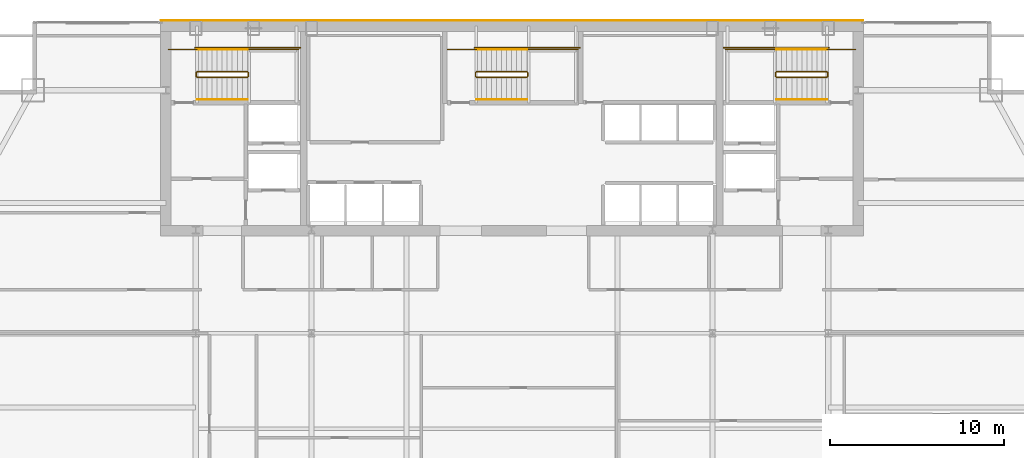
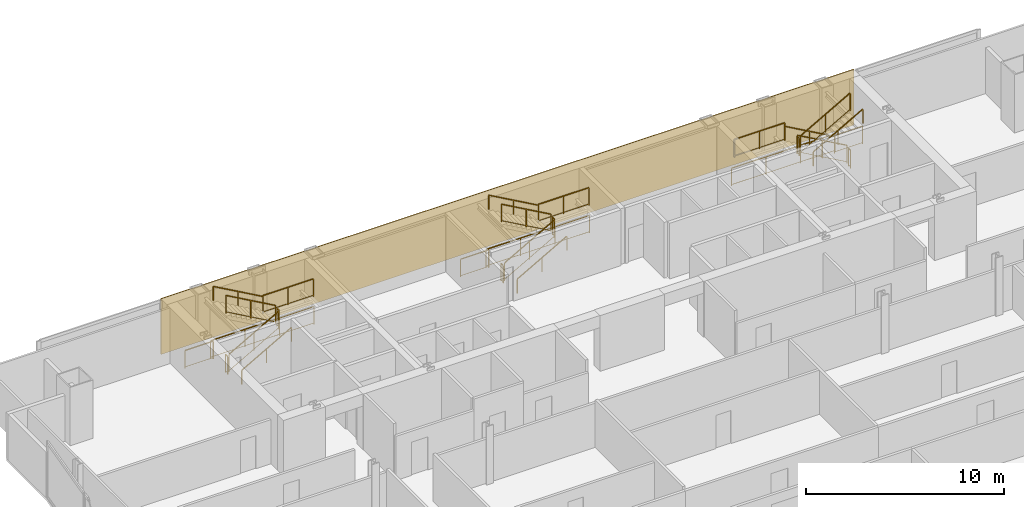
# One storey, part 29 of 29: 27 railings, 1 covering.
"""IFC4 building model written with IfcOpenShell, lengths in metres."""

from ifc_helpers import new_model, si_unit, direction, frame, origin, origin_2d, place, context, subcontext, project, spatial, polyline, rectangle, outline, extrude, material, layer, layer_set, type_object, element, save


model = new_model("IFC4")

# Units and contexts
model_context = context("Model", 3, precision=1e-05, world=origin(), true_north=direction((0.0, 1.0)))
body_context = subcontext(model_context, "Body", "Model", "MODEL_VIEW")
ifc_project = project(units=[si_unit("LENGTHUNIT", "METRE"), si_unit("AREAUNIT", "SQUARE_METRE"), si_unit("VOLUMEUNIT", "CUBIC_METRE"), si_unit("PLANEANGLEUNIT", "RADIAN"), si_unit("MASSUNIT", "GRAM", prefix="KILO")], contexts=[model_context])

# Site, building, storey
site_placement = place(None, origin())
site = spatial("IfcSite", under=ifc_project, at=site_placement, CompositionType="ELEMENT")
building_placement = place(site_placement, origin())
building = spatial("IfcBuilding", under=site, at=building_placement, Name="Khoronbel Lancet Exchange", CompositionType="ELEMENT")
storey_placement = place(building_placement, frame((0.0, 0.0, 177.0)))
storey = spatial("IfcBuildingStorey", under=building, at=storey_placement, Name="L44", CompositionType="ELEMENT", Elevation=177.0)

# Covering
ifc_material_1 = material(Name="Honed Egyptian Limestone & Bronze Rainscreen", Category="masonry")
ifc_layer = layer(ifc_material_1, 0.050048828125, Name="Honed Egyptian Limestone & Bronze Rainscreen")
ifc_layer_set = layer_set([ifc_layer], Name="Honed Egyptian Limestone & Bronze Rainscreen")
covering_type = type_object("IfcCoveringType", Name="COV-CLAD1", PredefinedType="CLADDING", material=ifc_layer_set)
covering_placement = place(storey_placement, origin())
element("IfcCovering", 1, at=covering_placement, inside=storey, type_object=covering_type, Name="Level L44 north rear-core stone and bronze rainscreen cladding", PredefinedType="CLADDING", context=body_context, shape_type="SweptSolid", body=[
    extrude(outline(polyline([(16.199951171875, 53.699951171875), (56.699951171875, 53.699951171875), (56.699951171875, 53.75), (16.199951171875, 53.75), (16.199951171875, 53.699951171875)])), origin(), (0.0, 0.0, 1.0), 3.43994140625),
])

# Railings
ifc_material_2 = material(Name="Painted Steel Balustrade", Category="steel")
railing_type_1 = type_object("IfcRailingType", Name="RL-STG110", PredefinedType="GUARDRAIL", material=ifc_material_2)
railing_1_placement = place(storey_placement, frame((18.300048828125, 50.449951171875, 0.16357421875)))
element("IfcRailing", 2, at=railing_1_placement, inside=storey, type_object=railing_type_1, Name="L44 ST1 stair guard 1", PredefinedType="GUARDRAIL", context=body_context, shape_type="SweptSolid", body=[
    extrude(rectangle(XDim=0.048095703125, YDim=0.048095703125, at=origin_2d()), frame((0.0, 0.0, 1.09619140625), z_axis=(0.870897200241, 0.0, 0.491465224214), x_axis=(0.0, 1.0, 0.0)), (0.0, 0.0, 1.0), 3.329833984375),
    extrude(rectangle(XDim=0.02392578125, YDim=0.02392578125, at=origin_2d()), frame((0.0, 0.0, 0.080078125), z_axis=(0.870897200241, 0.0, 0.491465224214), x_axis=(0.0, 1.0, 0.0)), (0.0, 0.0, 1.0), 3.329833984375),
    extrude(rectangle(XDim=0.0419921875, YDim=0.0419921875, at=origin_2d()), origin(), (0.0, 0.0, 1.0), 1.072021484375),
    extrude(rectangle(XDim=0.0419921875, YDim=0.0419921875, at=origin_2d()), frame((1.449951171875, 0.0, 0.818359375)), (0.0, 0.0, 1.0), 1.072021484375),
    extrude(rectangle(XDim=0.0419921875, YDim=0.0419921875, at=origin_2d()), frame((2.89990234375, 0.0, 1.636474609375)), (0.0, 0.0, 1.0), 1.072021484375),
])
railing_2_placement = place(storey_placement, frame((21.25, 50.5, 1.800048828125)))
element("IfcRailing", 3, at=railing_2_placement, inside=storey, type_object=railing_type_1, Name="L44 ST1 stair guard 2", PredefinedType="GUARDRAIL", context=body_context, shape_type="SweptSolid", body=[
    extrude(rectangle(XDim=0.048095703125, YDim=0.048095703125, at=origin_2d()), frame((0.0, 0.0, 1.09619140625), z_axis=(0.0, 1.0, 0.0), x_axis=(-1.0, 0.0, 0.0)), (0.0, 0.0, 1.0), 0.219970703125),
    extrude(rectangle(XDim=0.02392578125, YDim=0.02392578125, at=origin_2d()), frame((0.0, 0.0, 0.080078125), z_axis=(0.0, 1.0, 0.0), x_axis=(-1.0, 0.0, 0.0)), (0.0, 0.0, 1.0), 0.219970703125),
    extrude(rectangle(XDim=0.0419921875, YDim=0.0419921875, at=origin_2d()), origin(), (0.0, 0.0, 1.0), 1.072021484375),
    extrude(rectangle(XDim=0.0419921875, YDim=0.0419921875, at=origin_2d()), frame((0.0, 0.219970703125, 0.0)), (0.0, 0.0, 1.0), 1.072021484375),
])
railing_3_placement = place(storey_placement, frame((21.199951171875, 52.050048828125, 1.800048828125)))
element("IfcRailing", 4, at=railing_3_placement, inside=storey, type_object=railing_type_1, Name="L44 ST1 stair guard 3", PredefinedType="GUARDRAIL", context=body_context, shape_type="SweptSolid", body=[
    extrude(rectangle(XDim=0.048095703125, YDim=0.048095703125, at=origin_2d()), frame((0.0, 0.0, 1.09619140625), z_axis=(1.0, 0.0, 0.0), x_axis=(0.0, 1.0, 0.0)), (0.0, 0.0, 1.0), 2.949951171875),
    extrude(rectangle(XDim=0.02392578125, YDim=0.02392578125, at=origin_2d()), frame((0.0, 0.0, 0.080078125), z_axis=(1.0, 0.0, 0.0), x_axis=(0.0, 1.0, 0.0)), (0.0, 0.0, 1.0), 2.949951171875),
    extrude(rectangle(XDim=0.0419921875, YDim=0.0419921875, at=origin_2d()), origin(), (0.0, 0.0, 1.0), 1.072021484375),
    extrude(rectangle(XDim=0.0419921875, YDim=0.0419921875, at=origin_2d()), frame((1.47509765625, 0.0, 0.0)), (0.0, 0.0, 1.0), 1.072021484375),
    extrude(rectangle(XDim=0.0419921875, YDim=0.0419921875, at=origin_2d()), frame((2.949951171875, 0.0, 0.0)), (0.0, 0.0, 1.0), 1.072021484375),
])
railing_4_placement = place(storey_placement, frame((21.199951171875, 50.77001953125, 1.963623046875)))
element("IfcRailing", 5, at=railing_4_placement, inside=storey, type_object=railing_type_1, Name="L44 ST1 stair guard 4", PredefinedType="GUARDRAIL", context=body_context, shape_type="SweptSolid", body=[
    extrude(rectangle(XDim=0.048095703125, YDim=0.048095703125, at=origin_2d()), frame((0.0, 0.0, 1.09619140625), z_axis=(-0.870897200241, 0.0, 0.491465224214), x_axis=(0.0, -1.0, 0.0)), (0.0, 0.0, 1.0), 3.329833984375),
    extrude(rectangle(XDim=0.02392578125, YDim=0.02392578125, at=origin_2d()), frame((0.0, 0.0, 0.080078125), z_axis=(-0.870897200241, 0.0, 0.491465224214), x_axis=(0.0, -1.0, 0.0)), (0.0, 0.0, 1.0), 3.329833984375),
    extrude(rectangle(XDim=0.0419921875, YDim=0.0419921875, at=origin_2d()), origin(), (0.0, 0.0, 1.0), 1.072021484375),
    extrude(rectangle(XDim=0.0419921875, YDim=0.0419921875, at=origin_2d()), frame((-1.449951171875, 0.0, 0.818359375)), (0.0, 0.0, 1.0), 1.072021484375),
    extrude(rectangle(XDim=0.0419921875, YDim=0.0419921875, at=origin_2d()), frame((-2.89990234375, 0.0, 1.636474609375)), (0.0, 0.0, 1.0), 1.072021484375),
])
railing_5_placement = place(storey_placement, frame((18.25, 50.5, 0.0)))
element("IfcRailing", 6, at=railing_5_placement, inside=storey, type_object=railing_type_1, Name="L44 ST1 stair guard 5", PredefinedType="GUARDRAIL", context=body_context, shape_type="SweptSolid", body=[
    extrude(rectangle(XDim=0.048095703125, YDim=0.048095703125, at=origin_2d()), frame((0.0, 0.0, 1.09619140625), z_axis=(0.0, 1.0, 0.0), x_axis=(-1.0, 0.0, 0.0)), (0.0, 0.0, 1.0), 0.219970703125),
    extrude(rectangle(XDim=0.02392578125, YDim=0.02392578125, at=origin_2d()), frame((0.0, 0.0, 0.080078125), z_axis=(0.0, 1.0, 0.0), x_axis=(-1.0, 0.0, 0.0)), (0.0, 0.0, 1.0), 0.219970703125),
    extrude(rectangle(XDim=0.0419921875, YDim=0.0419921875, at=origin_2d()), origin(), (0.0, 0.0, 1.0), 1.072021484375),
    extrude(rectangle(XDim=0.0419921875, YDim=0.0419921875, at=origin_2d()), frame((0.0, 0.219970703125, 0.0)), (0.0, 0.0, 1.0), 1.072021484375),
])
railing_6_placement = place(storey_placement, frame((16.64990234375, 52.050048828125, 0.0)))
element("IfcRailing", 7, at=railing_6_placement, inside=storey, type_object=railing_type_1, Name="L44 ST1 stair guard 6", PredefinedType="GUARDRAIL", context=body_context, shape_type="SweptSolid", body=[
    extrude(rectangle(XDim=0.048095703125, YDim=0.048095703125, at=origin_2d()), frame((0.0, 0.0, 1.09619140625), z_axis=(1.0, 0.0, 0.0), x_axis=(0.0, 1.0, 0.0)), (0.0, 0.0, 1.0), 1.650146484375),
    extrude(rectangle(XDim=0.02392578125, YDim=0.02392578125, at=origin_2d()), frame((0.0, 0.0, 0.080078125), z_axis=(1.0, 0.0, 0.0), x_axis=(0.0, 1.0, 0.0)), (0.0, 0.0, 1.0), 1.650146484375),
    extrude(rectangle(XDim=0.0419921875, YDim=0.0419921875, at=origin_2d()), origin(), (0.0, 0.0, 1.0), 1.072021484375),
    extrude(rectangle(XDim=0.0419921875, YDim=0.0419921875, at=origin_2d()), frame((1.650146484375, 0.0, 0.0)), (0.0, 0.0, 1.0), 1.072021484375),
])
railing_7_placement = place(storey_placement, frame((18.199951171875, 52.14990234375, 0.0)))
element("IfcRailing", 8, at=railing_7_placement, inside=storey, type_object=railing_type_1, Name="L44 ST1 stair guard 7", PredefinedType="GUARDRAIL", context=body_context, shape_type="SweptSolid", body=[
    extrude(rectangle(XDim=0.048095703125, YDim=0.048095703125, at=origin_2d()), frame((0.0, 0.0, 1.09619140625), z_axis=(1.0, 0.0, 0.0), x_axis=(0.0, 1.0, 0.0)), (0.0, 0.0, 1.0), 6.050048828125),
    extrude(rectangle(XDim=0.02392578125, YDim=0.02392578125, at=origin_2d()), frame((0.0, 0.0, 0.080078125), z_axis=(1.0, 0.0, 0.0), x_axis=(0.0, 1.0, 0.0)), (0.0, 0.0, 1.0), 6.050048828125),
    extrude(rectangle(XDim=0.0419921875, YDim=0.0419921875, at=origin_2d()), origin(), (0.0, 0.0, 1.0), 1.072021484375),
    extrude(rectangle(XDim=0.0419921875, YDim=0.0419921875, at=origin_2d()), frame((2.0166015625, 0.0, 0.0)), (0.0, 0.0, 1.0), 1.072021484375),
    extrude(rectangle(XDim=0.0419921875, YDim=0.0419921875, at=origin_2d()), frame((4.033447265625, 0.0, 0.0)), (0.0, 0.0, 1.0), 1.072021484375),
    extrude(rectangle(XDim=0.0419921875, YDim=0.0419921875, at=origin_2d()), frame((6.050048828125, 0.0, 0.0)), (0.0, 0.0, 1.0), 1.072021484375),
])
railing_8_placement = place(storey_placement, frame((54.60009765625, 50.77001953125, 0.16357421875)))
element("IfcRailing", 9, at=railing_8_placement, inside=storey, type_object=railing_type_1, Name="L44 ST2 stair guard 1", PredefinedType="GUARDRAIL", context=body_context, shape_type="SweptSolid", body=[
    extrude(rectangle(XDim=0.048095703125, YDim=0.048095703125, at=origin_2d()), frame((0.0, 0.0, 1.09619140625), z_axis=(-0.870914908162, 0.0, 0.491433843708), x_axis=(0.0, -1.0, 0.0)), (0.0, 0.0, 1.0), 3.330078125),
    extrude(rectangle(XDim=0.02392578125, YDim=0.02392578125, at=origin_2d()), frame((0.0, 0.0, 0.080078125), z_axis=(-0.870914908162, 0.0, 0.491433843708), x_axis=(0.0, -1.0, 0.0)), (0.0, 0.0, 1.0), 3.330078125),
    extrude(rectangle(XDim=0.0419921875, YDim=0.0419921875, at=origin_2d()), origin(), (0.0, 0.0, 1.0), 1.072021484375),
    extrude(rectangle(XDim=0.0419921875, YDim=0.0419921875, at=origin_2d()), frame((-1.4501953125, 0.0, 0.818359375)), (0.0, 0.0, 1.0), 1.072021484375),
    extrude(rectangle(XDim=0.0419921875, YDim=0.0419921875, at=origin_2d()), frame((-2.900146484375, 0.0, 1.636474609375)), (0.0, 0.0, 1.0), 1.072021484375),
])
railing_9_placement = place(storey_placement, frame((51.64990234375, 50.719970703125, 1.800048828125)))
element("IfcRailing", 10, at=railing_9_placement, inside=storey, type_object=railing_type_1, Name="L44 ST2 stair guard 2", PredefinedType="GUARDRAIL", context=body_context, shape_type="SweptSolid", body=[
    extrude(rectangle(XDim=0.048095703125, YDim=0.048095703125, at=origin_2d()), frame((0.0, 0.0, 1.09619140625), z_axis=(0.0, -1.0, 0.0), x_axis=(1.0, 0.0, 0.0)), (0.0, 0.0, 1.0), 0.219970703125),
    extrude(rectangle(XDim=0.02392578125, YDim=0.02392578125, at=origin_2d()), frame((0.0, 0.0, 0.080078125), z_axis=(0.0, -1.0, 0.0), x_axis=(1.0, 0.0, 0.0)), (0.0, 0.0, 1.0), 0.219970703125),
    extrude(rectangle(XDim=0.0419921875, YDim=0.0419921875, at=origin_2d()), origin(), (0.0, 0.0, 1.0), 1.072021484375),
    extrude(rectangle(XDim=0.0419921875, YDim=0.0419921875, at=origin_2d()), frame((0.0, -0.219970703125, 0.0)), (0.0, 0.0, 1.0), 1.072021484375),
])
railing_10_placement = place(storey_placement, frame((51.699951171875, 52.050048828125, 1.800048828125)))
element("IfcRailing", 11, at=railing_10_placement, inside=storey, type_object=railing_type_1, Name="L44 ST2 stair guard 3", PredefinedType="GUARDRAIL", context=body_context, shape_type="SweptSolid", body=[
    extrude(rectangle(XDim=0.048095703125, YDim=0.048095703125, at=origin_2d()), frame((0.0, 0.0, 1.09619140625), z_axis=(-1.0, 0.0, 0.0), x_axis=(0.0, -1.0, 0.0)), (0.0, 0.0, 1.0), 2.949951171875),
    extrude(rectangle(XDim=0.02392578125, YDim=0.02392578125, at=origin_2d()), frame((0.0, 0.0, 0.080078125), z_axis=(-1.0, 0.0, 0.0), x_axis=(0.0, -1.0, 0.0)), (0.0, 0.0, 1.0), 2.949951171875),
    extrude(rectangle(XDim=0.0419921875, YDim=0.0419921875, at=origin_2d()), origin(), (0.0, 0.0, 1.0), 1.072021484375),
    extrude(rectangle(XDim=0.0419921875, YDim=0.0419921875, at=origin_2d()), frame((-1.47509765625, 0.0, 0.0)), (0.0, 0.0, 1.0), 1.072021484375),
    extrude(rectangle(XDim=0.0419921875, YDim=0.0419921875, at=origin_2d()), frame((-2.949951171875, 0.0, 0.0)), (0.0, 0.0, 1.0), 1.072021484375),
])
railing_11_placement = place(storey_placement, frame((51.699951171875, 50.449951171875, 1.963623046875)))
element("IfcRailing", 12, at=railing_11_placement, inside=storey, type_object=railing_type_1, Name="L44 ST2 stair guard 4", PredefinedType="GUARDRAIL", context=body_context, shape_type="SweptSolid", body=[
    extrude(rectangle(XDim=0.048095703125, YDim=0.048095703125, at=origin_2d()), frame((0.0, 0.0, 1.09619140625), z_axis=(0.870914908162, 0.0, 0.491433843708), x_axis=(0.0, 1.0, 0.0)), (0.0, 0.0, 1.0), 3.330078125),
    extrude(rectangle(XDim=0.02392578125, YDim=0.02392578125, at=origin_2d()), frame((0.0, 0.0, 0.080078125), z_axis=(0.870914908162, 0.0, 0.491433843708), x_axis=(0.0, 1.0, 0.0)), (0.0, 0.0, 1.0), 3.330078125),
    extrude(rectangle(XDim=0.0419921875, YDim=0.0419921875, at=origin_2d()), origin(), (0.0, 0.0, 1.0), 1.072021484375),
    extrude(rectangle(XDim=0.0419921875, YDim=0.0419921875, at=origin_2d()), frame((1.4501953125, 0.0, 0.818359375)), (0.0, 0.0, 1.0), 1.072021484375),
    extrude(rectangle(XDim=0.0419921875, YDim=0.0419921875, at=origin_2d()), frame((2.900146484375, 0.0, 1.636474609375)), (0.0, 0.0, 1.0), 1.072021484375),
])
railing_12_placement = place(storey_placement, frame((54.64990234375, 50.719970703125, 0.0)))
element("IfcRailing", 13, at=railing_12_placement, inside=storey, type_object=railing_type_1, Name="L44 ST2 stair guard 5", PredefinedType="GUARDRAIL", context=body_context, shape_type="SweptSolid", body=[
    extrude(rectangle(XDim=0.048095703125, YDim=0.048095703125, at=origin_2d()), frame((0.0, 0.0, 1.09619140625), z_axis=(0.0, -1.0, 0.0), x_axis=(1.0, 0.0, 0.0)), (0.0, 0.0, 1.0), 0.219970703125),
    extrude(rectangle(XDim=0.02392578125, YDim=0.02392578125, at=origin_2d()), frame((0.0, 0.0, 0.080078125), z_axis=(0.0, -1.0, 0.0), x_axis=(1.0, 0.0, 0.0)), (0.0, 0.0, 1.0), 0.219970703125),
    extrude(rectangle(XDim=0.0419921875, YDim=0.0419921875, at=origin_2d()), origin(), (0.0, 0.0, 1.0), 1.072021484375),
    extrude(rectangle(XDim=0.0419921875, YDim=0.0419921875, at=origin_2d()), frame((0.0, -0.219970703125, 0.0)), (0.0, 0.0, 1.0), 1.072021484375),
])
railing_13_placement = place(storey_placement, frame((56.25, 52.050048828125, 0.0)))
element("IfcRailing", 14, at=railing_13_placement, inside=storey, type_object=railing_type_1, Name="L44 ST2 stair guard 6", PredefinedType="GUARDRAIL", context=body_context, shape_type="SweptSolid", body=[
    extrude(rectangle(XDim=0.048095703125, YDim=0.048095703125, at=origin_2d()), frame((0.0, 0.0, 1.09619140625), z_axis=(-1.0, 0.0, 0.0), x_axis=(0.0, -1.0, 0.0)), (0.0, 0.0, 1.0), 1.64990234375),
    extrude(rectangle(XDim=0.02392578125, YDim=0.02392578125, at=origin_2d()), frame((0.0, 0.0, 0.080078125), z_axis=(-1.0, 0.0, 0.0), x_axis=(0.0, -1.0, 0.0)), (0.0, 0.0, 1.0), 1.64990234375),
    extrude(rectangle(XDim=0.0419921875, YDim=0.0419921875, at=origin_2d()), origin(), (0.0, 0.0, 1.0), 1.072021484375),
    extrude(rectangle(XDim=0.0419921875, YDim=0.0419921875, at=origin_2d()), frame((-1.64990234375, 0.0, 0.0)), (0.0, 0.0, 1.0), 1.072021484375),
])
railing_14_placement = place(storey_placement, frame((54.699951171875, 52.14990234375, 0.0)))
element("IfcRailing", 15, at=railing_14_placement, inside=storey, type_object=railing_type_1, Name="L44 ST2 stair guard 7", PredefinedType="GUARDRAIL", context=body_context, shape_type="SweptSolid", body=[
    extrude(rectangle(XDim=0.048095703125, YDim=0.048095703125, at=origin_2d()), frame((0.0, 0.0, 1.09619140625), z_axis=(-1.0, 0.0, 0.0), x_axis=(0.0, -1.0, 0.0)), (0.0, 0.0, 1.0), 6.050048828125),
    extrude(rectangle(XDim=0.02392578125, YDim=0.02392578125, at=origin_2d()), frame((0.0, 0.0, 0.080078125), z_axis=(-1.0, 0.0, 0.0), x_axis=(0.0, -1.0, 0.0)), (0.0, 0.0, 1.0), 6.050048828125),
    extrude(rectangle(XDim=0.0419921875, YDim=0.0419921875, at=origin_2d()), origin(), (0.0, 0.0, 1.0), 1.072021484375),
    extrude(rectangle(XDim=0.0419921875, YDim=0.0419921875, at=origin_2d()), frame((-2.0166015625, 0.0, 0.0)), (0.0, 0.0, 1.0), 1.072021484375),
    extrude(rectangle(XDim=0.0419921875, YDim=0.0419921875, at=origin_2d()), frame((-4.033447265625, 0.0, 0.0)), (0.0, 0.0, 1.0), 1.072021484375),
    extrude(rectangle(XDim=0.0419921875, YDim=0.0419921875, at=origin_2d()), frame((-6.050048828125, 0.0, 0.0)), (0.0, 0.0, 1.0), 1.072021484375),
])
railing_15_placement = place(storey_placement, frame((34.39990234375, 50.449951171875, 0.16357421875)))
element("IfcRailing", 16, at=railing_15_placement, inside=storey, type_object=railing_type_1, Name="L44 ST3 stair guard 1", PredefinedType="GUARDRAIL", context=body_context, shape_type="SweptSolid", body=[
    extrude(rectangle(XDim=0.048095703125, YDim=0.048095703125, at=origin_2d()), frame((0.0, 0.0, 1.09619140625), z_axis=(0.870914908162, 0.0, 0.491433843708), x_axis=(0.0, 1.0, 0.0)), (0.0, 0.0, 1.0), 3.330078125),
    extrude(rectangle(XDim=0.02392578125, YDim=0.02392578125, at=origin_2d()), frame((0.0, 0.0, 0.080078125), z_axis=(0.870914908162, 0.0, 0.491433843708), x_axis=(0.0, 1.0, 0.0)), (0.0, 0.0, 1.0), 3.330078125),
    extrude(rectangle(XDim=0.0419921875, YDim=0.0419921875, at=origin_2d()), origin(), (0.0, 0.0, 1.0), 1.072021484375),
    extrude(rectangle(XDim=0.0419921875, YDim=0.0419921875, at=origin_2d()), frame((1.4501953125, 0.0, 0.818359375)), (0.0, 0.0, 1.0), 1.072021484375),
    extrude(rectangle(XDim=0.0419921875, YDim=0.0419921875, at=origin_2d()), frame((2.900146484375, 0.0, 1.636474609375)), (0.0, 0.0, 1.0), 1.072021484375),
])
railing_16_placement = place(storey_placement, frame((37.35009765625, 50.5, 1.800048828125)))
element("IfcRailing", 17, at=railing_16_placement, inside=storey, type_object=railing_type_1, Name="L44 ST3 stair guard 2", PredefinedType="GUARDRAIL", context=body_context, shape_type="SweptSolid", body=[
    extrude(rectangle(XDim=0.048095703125, YDim=0.048095703125, at=origin_2d()), frame((0.0, 0.0, 1.09619140625), z_axis=(0.0, 1.0, 0.0), x_axis=(-1.0, 0.0, 0.0)), (0.0, 0.0, 1.0), 0.219970703125),
    extrude(rectangle(XDim=0.02392578125, YDim=0.02392578125, at=origin_2d()), frame((0.0, 0.0, 0.080078125), z_axis=(0.0, 1.0, 0.0), x_axis=(-1.0, 0.0, 0.0)), (0.0, 0.0, 1.0), 0.219970703125),
    extrude(rectangle(XDim=0.0419921875, YDim=0.0419921875, at=origin_2d()), origin(), (0.0, 0.0, 1.0), 1.072021484375),
    extrude(rectangle(XDim=0.0419921875, YDim=0.0419921875, at=origin_2d()), frame((0.0, 0.219970703125, 0.0)), (0.0, 0.0, 1.0), 1.072021484375),
])
railing_17_placement = place(storey_placement, frame((37.300048828125, 52.050048828125, 1.800048828125)))
element("IfcRailing", 18, at=railing_17_placement, inside=storey, type_object=railing_type_1, Name="L44 ST3 stair guard 3", PredefinedType="GUARDRAIL", context=body_context, shape_type="SweptSolid", body=[
    extrude(rectangle(XDim=0.048095703125, YDim=0.048095703125, at=origin_2d()), frame((0.0, 0.0, 1.09619140625), z_axis=(1.0, 0.0, 0.0), x_axis=(0.0, 1.0, 0.0)), (0.0, 0.0, 1.0), 2.949951171875),
    extrude(rectangle(XDim=0.02392578125, YDim=0.02392578125, at=origin_2d()), frame((0.0, 0.0, 0.080078125), z_axis=(1.0, 0.0, 0.0), x_axis=(0.0, 1.0, 0.0)), (0.0, 0.0, 1.0), 2.949951171875),
    extrude(rectangle(XDim=0.0419921875, YDim=0.0419921875, at=origin_2d()), origin(), (0.0, 0.0, 1.0), 1.072021484375),
    extrude(rectangle(XDim=0.0419921875, YDim=0.0419921875, at=origin_2d()), frame((1.47509765625, 0.0, 0.0)), (0.0, 0.0, 1.0), 1.072021484375),
    extrude(rectangle(XDim=0.0419921875, YDim=0.0419921875, at=origin_2d()), frame((2.949951171875, 0.0, 0.0)), (0.0, 0.0, 1.0), 1.072021484375),
])
railing_18_placement = place(storey_placement, frame((37.300048828125, 50.77001953125, 1.963623046875)))
element("IfcRailing", 19, at=railing_18_placement, inside=storey, type_object=railing_type_1, Name="L44 ST3 stair guard 4", PredefinedType="GUARDRAIL", context=body_context, shape_type="SweptSolid", body=[
    extrude(rectangle(XDim=0.048095703125, YDim=0.048095703125, at=origin_2d()), frame((0.0, 0.0, 1.09619140625), z_axis=(-0.870914908162, 0.0, 0.491433843708), x_axis=(0.0, -1.0, 0.0)), (0.0, 0.0, 1.0), 3.330078125),
    extrude(rectangle(XDim=0.02392578125, YDim=0.02392578125, at=origin_2d()), frame((0.0, 0.0, 0.080078125), z_axis=(-0.870914908162, 0.0, 0.491433843708), x_axis=(0.0, -1.0, 0.0)), (0.0, 0.0, 1.0), 3.330078125),
    extrude(rectangle(XDim=0.0419921875, YDim=0.0419921875, at=origin_2d()), origin(), (0.0, 0.0, 1.0), 1.072021484375),
    extrude(rectangle(XDim=0.0419921875, YDim=0.0419921875, at=origin_2d()), frame((-1.4501953125, 0.0, 0.818359375)), (0.0, 0.0, 1.0), 1.072021484375),
    extrude(rectangle(XDim=0.0419921875, YDim=0.0419921875, at=origin_2d()), frame((-2.900146484375, 0.0, 1.636474609375)), (0.0, 0.0, 1.0), 1.072021484375),
])
railing_19_placement = place(storey_placement, frame((34.35009765625, 50.5, 0.0)))
element("IfcRailing", 20, at=railing_19_placement, inside=storey, type_object=railing_type_1, Name="L44 ST3 stair guard 5", PredefinedType="GUARDRAIL", context=body_context, shape_type="SweptSolid", body=[
    extrude(rectangle(XDim=0.048095703125, YDim=0.048095703125, at=origin_2d()), frame((0.0, 0.0, 1.09619140625), z_axis=(0.0, 1.0, 0.0), x_axis=(-1.0, 0.0, 0.0)), (0.0, 0.0, 1.0), 0.219970703125),
    extrude(rectangle(XDim=0.02392578125, YDim=0.02392578125, at=origin_2d()), frame((0.0, 0.0, 0.080078125), z_axis=(0.0, 1.0, 0.0), x_axis=(-1.0, 0.0, 0.0)), (0.0, 0.0, 1.0), 0.219970703125),
    extrude(rectangle(XDim=0.0419921875, YDim=0.0419921875, at=origin_2d()), origin(), (0.0, 0.0, 1.0), 1.072021484375),
    extrude(rectangle(XDim=0.0419921875, YDim=0.0419921875, at=origin_2d()), frame((0.0, 0.219970703125, 0.0)), (0.0, 0.0, 1.0), 1.072021484375),
])
railing_20_placement = place(storey_placement, frame((32.75, 52.050048828125, 0.0)))
element("IfcRailing", 21, at=railing_20_placement, inside=storey, type_object=railing_type_1, Name="L44 ST3 stair guard 6", PredefinedType="GUARDRAIL", context=body_context, shape_type="SweptSolid", body=[
    extrude(rectangle(XDim=0.048095703125, YDim=0.048095703125, at=origin_2d()), frame((0.0, 0.0, 1.09619140625), z_axis=(1.0, 0.0, 0.0), x_axis=(0.0, 1.0, 0.0)), (0.0, 0.0, 1.0), 1.64990234375),
    extrude(rectangle(XDim=0.02392578125, YDim=0.02392578125, at=origin_2d()), frame((0.0, 0.0, 0.080078125), z_axis=(1.0, 0.0, 0.0), x_axis=(0.0, 1.0, 0.0)), (0.0, 0.0, 1.0), 1.64990234375),
    extrude(rectangle(XDim=0.0419921875, YDim=0.0419921875, at=origin_2d()), origin(), (0.0, 0.0, 1.0), 1.072021484375),
    extrude(rectangle(XDim=0.0419921875, YDim=0.0419921875, at=origin_2d()), frame((1.64990234375, 0.0, 0.0)), (0.0, 0.0, 1.0), 1.072021484375),
])
railing_21_placement = place(storey_placement, frame((34.300048828125, 52.14990234375, 0.0)))
element("IfcRailing", 22, at=railing_21_placement, inside=storey, type_object=railing_type_1, Name="L44 ST3 stair guard 7", PredefinedType="GUARDRAIL", context=body_context, shape_type="SweptSolid", body=[
    extrude(rectangle(XDim=0.048095703125, YDim=0.048095703125, at=origin_2d()), frame((0.0, 0.0, 1.09619140625), z_axis=(1.0, 0.0, 0.0), x_axis=(0.0, 1.0, 0.0)), (0.0, 0.0, 1.0), 6.050048828125),
    extrude(rectangle(XDim=0.02392578125, YDim=0.02392578125, at=origin_2d()), frame((0.0, 0.0, 0.080078125), z_axis=(1.0, 0.0, 0.0), x_axis=(0.0, 1.0, 0.0)), (0.0, 0.0, 1.0), 6.050048828125),
    extrude(rectangle(XDim=0.0419921875, YDim=0.0419921875, at=origin_2d()), origin(), (0.0, 0.0, 1.0), 1.072021484375),
    extrude(rectangle(XDim=0.0419921875, YDim=0.0419921875, at=origin_2d()), frame((2.0166015625, 0.0, 0.0)), (0.0, 0.0, 1.0), 1.072021484375),
    extrude(rectangle(XDim=0.0419921875, YDim=0.0419921875, at=origin_2d()), frame((4.033447265625, 0.0, 0.0)), (0.0, 0.0, 1.0), 1.072021484375),
    extrude(rectangle(XDim=0.0419921875, YDim=0.0419921875, at=origin_2d()), frame((6.050048828125, 0.0, 0.0)), (0.0, 0.0, 1.0), 1.072021484375),
])
ifc_material_3 = material(Name="Brushed Stainless Steel 316", Category="steel")
railing_type_2 = type_object("IfcRailingType", Name="RL-STH92", PredefinedType="HANDRAIL", material=ifc_material_3)
railing_22_placement = place(storey_placement, frame((18.300048828125, 49.169921875, 0.16357421875)))
element("IfcRailing", 23, at=railing_22_placement, inside=storey, type_object=railing_type_2, Name="L44 ST1 stair handrail 1", PredefinedType="HANDRAIL", context=body_context, shape_type="SweptSolid", body=[
    extrude(rectangle(XDim=0.048095703125, YDim=0.048095703125, at=origin_2d()), frame((0.0, 0.0, 0.8759765625), z_axis=(0.870897200241, 0.0, 0.491465224214), x_axis=(0.0, 1.0, 0.0)), (0.0, 0.0, 1.0), 3.329833984375),
    extrude(rectangle(XDim=0.0419921875, YDim=0.0419921875, at=origin_2d()), origin(), (0.0, 0.0, 1.0), 0.851806640625),
    extrude(rectangle(XDim=0.0419921875, YDim=0.0419921875, at=origin_2d()), frame((1.449951171875, 0.0, 0.818359375)), (0.0, 0.0, 1.0), 0.851806640625),
    extrude(rectangle(XDim=0.0419921875, YDim=0.0419921875, at=origin_2d()), frame((2.89990234375, 0.0, 1.636474609375)), (0.0, 0.0, 1.0), 0.851806640625),
])
railing_23_placement = place(storey_placement, frame((21.199951171875, 52.050048828125, 1.963623046875)))
element("IfcRailing", 24, at=railing_23_placement, inside=storey, type_object=railing_type_2, Name="L44 ST1 stair handrail 2", PredefinedType="HANDRAIL", context=body_context, shape_type="SweptSolid", body=[
    extrude(rectangle(XDim=0.048095703125, YDim=0.048095703125, at=origin_2d()), frame((0.0, 0.0, 0.8759765625), z_axis=(-0.870897200241, 0.0, 0.491465224214), x_axis=(0.0, -1.0, 0.0)), (0.0, 0.0, 1.0), 3.329833984375),
    extrude(rectangle(XDim=0.0419921875, YDim=0.0419921875, at=origin_2d()), origin(), (0.0, 0.0, 1.0), 0.851806640625),
    extrude(rectangle(XDim=0.0419921875, YDim=0.0419921875, at=origin_2d()), frame((-1.449951171875, 0.0, 0.818359375)), (0.0, 0.0, 1.0), 0.851806640625),
    extrude(rectangle(XDim=0.0419921875, YDim=0.0419921875, at=origin_2d()), frame((-2.89990234375, 0.0, 1.636474609375)), (0.0, 0.0, 1.0), 0.851806640625),
])
railing_24_placement = place(storey_placement, frame((54.60009765625, 52.050048828125, 0.16357421875)))
element("IfcRailing", 25, at=railing_24_placement, inside=storey, type_object=railing_type_2, Name="L44 ST2 stair handrail 1", PredefinedType="HANDRAIL", context=body_context, shape_type="SweptSolid", body=[
    extrude(rectangle(XDim=0.048095703125, YDim=0.048095703125, at=origin_2d()), frame((0.0, 0.0, 0.8759765625), z_axis=(-0.870914908162, 0.0, 0.491433843708), x_axis=(0.0, -1.0, 0.0)), (0.0, 0.0, 1.0), 3.330078125),
    extrude(rectangle(XDim=0.0419921875, YDim=0.0419921875, at=origin_2d()), origin(), (0.0, 0.0, 1.0), 0.851806640625),
    extrude(rectangle(XDim=0.0419921875, YDim=0.0419921875, at=origin_2d()), frame((-1.4501953125, 0.0, 0.818359375)), (0.0, 0.0, 1.0), 0.851806640625),
    extrude(rectangle(XDim=0.0419921875, YDim=0.0419921875, at=origin_2d()), frame((-2.900146484375, 0.0, 1.636474609375)), (0.0, 0.0, 1.0), 0.851806640625),
])
for number, where, name in (
    (26, (51.699951171875, 49.169921875, 1.963623046875), "L44 ST2 stair handrail 2"),
    (27, (34.39990234375, 49.169921875, 0.16357421875), "L44 ST3 stair handrail 1"),
):
    element("IfcRailing", number, at=place(storey_placement, frame(where)), inside=storey, type_object=railing_type_2, Name=name, PredefinedType="HANDRAIL", context=body_context, shape_type="SweptSolid", body=[
        extrude(rectangle(XDim=0.048095703125, YDim=0.048095703125, at=origin_2d()), frame((0.0, 0.0, 0.8759765625), z_axis=(0.870914908162, 0.0, 0.491433843708), x_axis=(0.0, 1.0, 0.0)), (0.0, 0.0, 1.0), 3.330078125),
        extrude(rectangle(XDim=0.0419921875, YDim=0.0419921875, at=origin_2d()), origin(), (0.0, 0.0, 1.0), 0.851806640625),
        extrude(rectangle(XDim=0.0419921875, YDim=0.0419921875, at=origin_2d()), frame((1.4501953125, 0.0, 0.818359375)), (0.0, 0.0, 1.0), 0.851806640625),
        extrude(rectangle(XDim=0.0419921875, YDim=0.0419921875, at=origin_2d()), frame((2.900146484375, 0.0, 1.636474609375)), (0.0, 0.0, 1.0), 0.851806640625),
    ])
railing_25_placement = place(storey_placement, frame((37.300048828125, 52.050048828125, 1.963623046875)))
element("IfcRailing", 28, at=railing_25_placement, inside=storey, type_object=railing_type_2, Name="L44 ST3 stair handrail 2", PredefinedType="HANDRAIL", context=body_context, shape_type="SweptSolid", body=[
    extrude(rectangle(XDim=0.048095703125, YDim=0.048095703125, at=origin_2d()), frame((0.0, 0.0, 0.8759765625), z_axis=(-0.870914908162, 0.0, 0.491433843708), x_axis=(0.0, -1.0, 0.0)), (0.0, 0.0, 1.0), 3.330078125),
    extrude(rectangle(XDim=0.0419921875, YDim=0.0419921875, at=origin_2d()), origin(), (0.0, 0.0, 1.0), 0.851806640625),
    extrude(rectangle(XDim=0.0419921875, YDim=0.0419921875, at=origin_2d()), frame((-1.4501953125, 0.0, 0.818359375)), (0.0, 0.0, 1.0), 0.851806640625),
    extrude(rectangle(XDim=0.0419921875, YDim=0.0419921875, at=origin_2d()), frame((-2.900146484375, 0.0, 1.636474609375)), (0.0, 0.0, 1.0), 0.851806640625),
])

save(model, "model.ifc")
